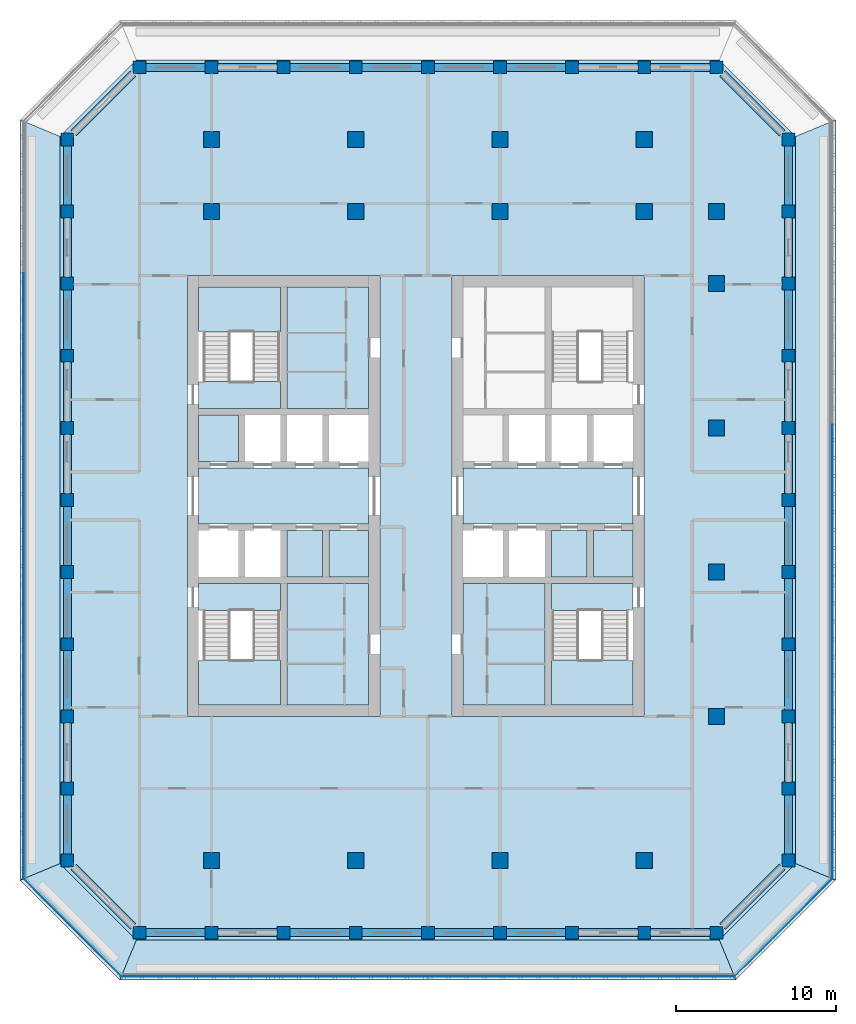
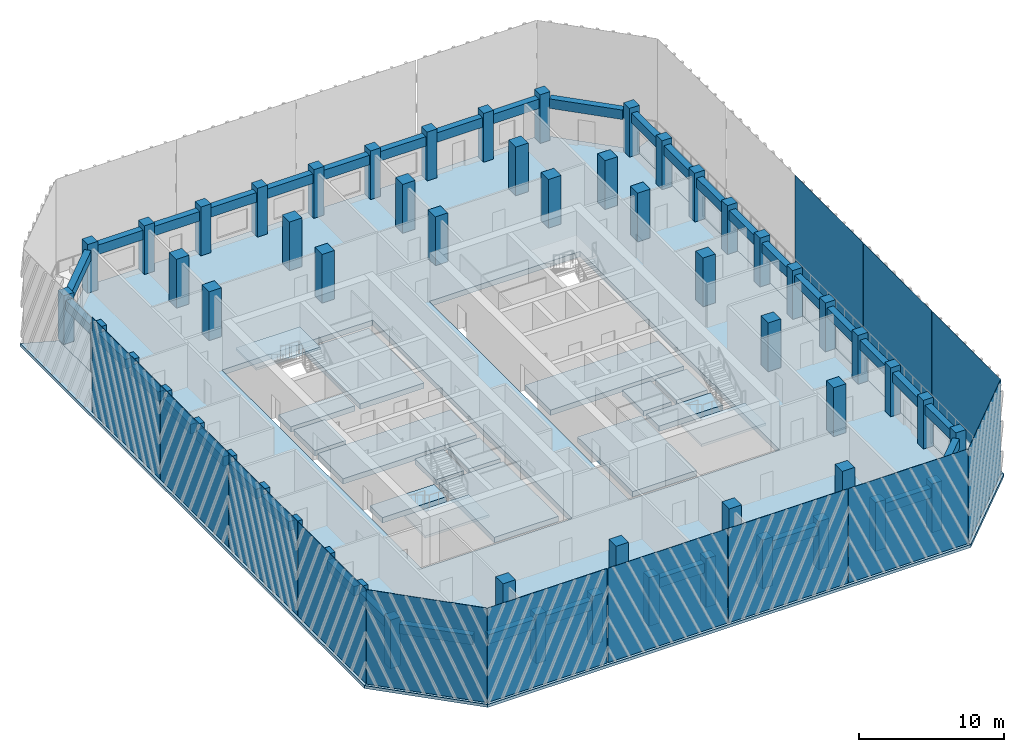
# One storey, part 1 of 17: 57 columns, 40 beams, 22 slabs, 13 plates, 3 elements without a shape of their own.
"""IFC4 building model written with IfcOpenShell, lengths in metres."""

from ifc_helpers import new_model, si_unit, direction, frame, origin, origin_2d, place, context, subcontext, project, spatial, polyline, rectangle, outline, extrude, material, layer, layer_set, material_profile, profile_set, type_object, element, aggregate, save


model = new_model("IFC4")

# Units and contexts
model_context = context("Model", 3, precision=1e-05, world=origin(), true_north=direction((0.0, 1.0)))
body_context = subcontext(model_context, "Body", "Model", "MODEL_VIEW")
ifc_project = project(units=[si_unit("LENGTHUNIT", "METRE"), si_unit("AREAUNIT", "SQUARE_METRE"), si_unit("VOLUMEUNIT", "CUBIC_METRE"), si_unit("PLANEANGLEUNIT", "RADIAN"), si_unit("MASSUNIT", "GRAM", prefix="KILO")], contexts=[model_context])

# Site, building, storey
site_placement = place(None, origin())
site = spatial("IfcSite", under=ifc_project, at=site_placement, CompositionType="ELEMENT")
building_placement = place(site_placement, origin())
building = spatial("IfcBuilding", under=site, at=building_placement, Name="Corbel Stack Research Tower", CompositionType="ELEMENT")
storey_placement = place(building_placement, frame((0.0, 0.0, 248.0)))
storey = spatial("IfcBuildingStorey", under=building, at=storey_placement, Name="L56", CompositionType="ELEMENT", Elevation=248.0)

# Columns
ifc_material_1 = material(Name="Concrete C60/75", Category="concrete")
ifc_material_profile_1 = material_profile(ifc_material_1, rectangle(XDim=1.0, YDim=1.0, at=origin_2d()), Name="RC 1000 x 1000")
ifc_profile_set_1 = profile_set([ifc_material_profile_1], Name="Concrete C60/75")
column_type_1 = type_object("IfcColumnType", Name="C-1000-60", PredefinedType="COLUMN", material=ifc_profile_set_1)
for number, where, z_axis, x_axis, name in (
    (1, (-9.0, -18.0, 0.0), (0.0, 0.0, 1.0), (1.0, 0.0, 0.0), "Column 6/D L56"),
    (2, (-9.0, 22.5, 0.0), (0.0, 0.0, 1.0), (1.0, 0.0, 0.0), "Column 6/N L56"),
    (3, (-9.0, 27.0, 0.0), (0.0, 0.0, 1.0), (1.0, 0.0, 0.0), "Column 6/P L56"),
    (4, (0.0, -18.0, 0.0), (0.0, 0.0, 1.0), (1.0, 0.0, 0.0), "Column 8/D L56"),
    (5, (0.0, 22.5, 0.0), (0.0, 0.0, 1.0), (1.0, 0.0, 0.0), "Column 8/N L56"),
    (6, (0.0, 27.0, 0.0), (0.0, 0.0, 1.0), (1.0, 0.0, 0.0), "Column 8/P L56"),
    (7, (9.0, -18.0, 0.0), (0.0, 0.0, 1.0), (1.0, 0.0, 0.0), "Column 10/D L56"),
    (8, (9.0, 22.5, 0.0), (0.0, 0.0, 1.0), (1.0, 0.0, 0.0), "Column 10/N L56"),
    (9, (9.0, 27.0, 0.0), (0.0, 0.0, 1.0), (1.0, 0.0, 0.0), "Column 10/P L56"),
    (10, (18.0, -18.0, 0.0), (0.0, 0.0, 1.0), (1.0, 0.0, 0.0), "Column 12/D L56"),
    (11, (18.0, 22.5, 0.0), (0.0, 0.0, 1.0), (1.0, 0.0, 0.0), "Column 12/N L56"),
    (12, (18.0, 27.0, 0.0), (0.0, 0.0, 1.0), (1.0, 0.0, 0.0), "Column 12/P L56"),
    (13, (22.5, -9.0, 0.0), (0.0, 0.0, 1.0), (1.0, 0.0, 0.0), "Column 13/F L56"),
    (14, (22.5, 0.0, 0.0), (0.0, 0.0, 1.0), (1.0, 0.0, 0.0), "Column 13/H L56"),
    (15, (22.5, 9.0, 0.0), (0.0, 0.0, 1.0), (1.0, 0.0, 0.0), "Column 13/K L56"),
    (16, (22.5, 18.0, 0.0), (0.0, 0.0, 1.0), (1.0, 0.0, 0.0), "Column 13/M L56"),
    (17, (22.5, 22.5, 0.0), (0.0, 0.0, 1.0), (1.0, 0.0, 0.0), "Column 13/N L56"),
):
    element("IfcColumn", number, at=place(storey_placement, frame(where, z_axis=z_axis, x_axis=x_axis)), inside=storey, type_object=column_type_1, Name=name, PredefinedType="COLUMN", context=body_context, shape_type="SweptSolid", body=[
        extrude(rectangle(XDim=1.0, YDim=1.0, at=origin_2d()), origin(), (0.0, 0.0, 1.0), 4.10009765625),
    ])
ifc_material_2 = material(Name="Concrete C60/75", Category="concrete")
ifc_material_profile_2 = material_profile(ifc_material_2, rectangle(XDim=0.800048828125, YDim=0.800048828125, at=origin_2d()), Name="RC 800 x 800")
ifc_profile_set_2 = profile_set([ifc_material_profile_2], Name="Concrete C60/75")
column_type_2 = type_object("IfcColumnType", Name="C-800-60", PredefinedType="COLUMN", material=ifc_profile_set_2)
for number, where, z_axis, x_axis, name in (
    (18, (-18.0, -18.0, 0.0), (0.0, 0.0, 1.0), (1.0, 0.0, 0.0), "Column 4/D L56"),
    (19, (-18.0, -13.5, 0.0), (0.0, 0.0, 1.0), (1.0, 0.0, 0.0), "Column 4/E L56"),
    (20, (-18.0, -9.0, 0.0), (0.0, 0.0, 1.0), (1.0, 0.0, 0.0), "Column 4/F L56"),
    (21, (-18.0, -4.5, 0.0), (0.0, 0.0, 1.0), (1.0, 0.0, 0.0), "Column 4/G L56"),
    (22, (-18.0, 0.0, 0.0), (0.0, 0.0, 1.0), (1.0, 0.0, 0.0), "Column 4/H L56"),
    (23, (-18.0, 4.5, 0.0), (0.0, 0.0, 1.0), (1.0, 0.0, 0.0), "Column 4/J L56"),
    (24, (-18.0, 9.0, 0.0), (0.0, 0.0, 1.0), (1.0, 0.0, 0.0), "Column 4/K L56"),
    (25, (-18.0, 13.5, 0.0), (0.0, 0.0, 1.0), (1.0, 0.0, 0.0), "Column 4/L L56"),
    (26, (-18.0, 18.0, 0.0), (0.0, 0.0, 1.0), (1.0, 0.0, 0.0), "Column 4/M L56"),
    (27, (-18.0, 22.5, 0.0), (0.0, 0.0, 1.0), (1.0, 0.0, 0.0), "Column 4/N L56"),
    (28, (-18.0, 27.0, 0.0), (0.0, 0.0, 1.0), (1.0, 0.0, 0.0), "Column 4/P L56"),
    (29, (-13.5, -22.5, 0.0), (0.0, 0.0, 1.0), (1.0, 0.0, 0.0), "Column 5/C L56"),
    (30, (-13.5, 31.5, 0.0), (0.0, 0.0, 1.0), (1.0, 0.0, 0.0), "Column 5/Q L56"),
    (31, (-9.0, -22.5, 0.0), (0.0, 0.0, 1.0), (1.0, 0.0, 0.0), "Column 6/C L56"),
    (32, (-9.0, 31.5, 0.0), (0.0, 0.0, 1.0), (1.0, 0.0, 0.0), "Column 6/Q L56"),
    (33, (-4.5, -22.5, 0.0), (0.0, 0.0, 1.0), (1.0, 0.0, 0.0), "Column 7/C L56"),
    (34, (-4.5, 31.5, 0.0), (0.0, 0.0, 1.0), (1.0, 0.0, 0.0), "Column 7/Q L56"),
    (35, (0.0, -22.5, 0.0), (0.0, 0.0, 1.0), (1.0, 0.0, 0.0), "Column 8/C L56"),
    (36, (0.0, 31.5, 0.0), (0.0, 0.0, 1.0), (1.0, 0.0, 0.0), "Column 8/Q L56"),
    (37, (4.5, -22.5, 0.0), (0.0, 0.0, 1.0), (1.0, 0.0, 0.0), "Column 9/C L56"),
    (38, (4.5, 31.5, 0.0), (0.0, 0.0, 1.0), (1.0, 0.0, 0.0), "Column 9/Q L56"),
    (39, (9.0, -22.5, 0.0), (0.0, 0.0, 1.0), (1.0, 0.0, 0.0), "Column 10/C L56"),
    (40, (9.0, 31.5, 0.0), (0.0, 0.0, 1.0), (1.0, 0.0, 0.0), "Column 10/Q L56"),
    (41, (13.5, -22.5, 0.0), (0.0, 0.0, 1.0), (1.0, 0.0, 0.0), "Column 11/C L56"),
    (42, (13.5, 31.5, 0.0), (0.0, 0.0, 1.0), (1.0, 0.0, 0.0), "Column 11/Q L56"),
    (43, (18.0, -22.5, 0.0), (0.0, 0.0, 1.0), (1.0, 0.0, 0.0), "Column 12/C L56"),
    (44, (18.0, 31.5, 0.0), (0.0, 0.0, 1.0), (1.0, 0.0, 0.0), "Column 12/Q L56"),
    (45, (22.5, -22.5, 0.0), (0.0, 0.0, 1.0), (1.0, 0.0, 0.0), "Column 13/C L56"),
    (46, (22.5, 31.5, 0.0), (0.0, 0.0, 1.0), (1.0, 0.0, 0.0), "Column 13/Q L56"),
    (47, (27.0, -18.0, 0.0), (0.0, 0.0, 1.0), (1.0, 0.0, 0.0), "Column 14/D L56"),
    (48, (27.0, -13.5, 0.0), (0.0, 0.0, 1.0), (1.0, 0.0, 0.0), "Column 14/E L56"),
    (49, (27.0, -9.0, 0.0), (0.0, 0.0, 1.0), (1.0, 0.0, 0.0), "Column 14/F L56"),
    (50, (27.0, -4.5, 0.0), (0.0, 0.0, 1.0), (1.0, 0.0, 0.0), "Column 14/G L56"),
    (51, (27.0, 0.0, 0.0), (0.0, 0.0, 1.0), (1.0, 0.0, 0.0), "Column 14/H L56"),
    (52, (27.0, 4.5, 0.0), (0.0, 0.0, 1.0), (1.0, 0.0, 0.0), "Column 14/J L56"),
    (53, (27.0, 9.0, 0.0), (0.0, 0.0, 1.0), (1.0, 0.0, 0.0), "Column 14/K L56"),
    (54, (27.0, 13.5, 0.0), (0.0, 0.0, 1.0), (1.0, 0.0, 0.0), "Column 14/L L56"),
    (55, (27.0, 18.0, 0.0), (0.0, 0.0, 1.0), (1.0, 0.0, 0.0), "Column 14/M L56"),
    (56, (27.0, 22.5, 0.0), (0.0, 0.0, 1.0), (1.0, 0.0, 0.0), "Column 14/N L56"),
    (57, (27.0, 27.0, 0.0), (0.0, 0.0, 1.0), (1.0, 0.0, 0.0), "Column 14/P L56"),
):
    element("IfcColumn", number, at=place(storey_placement, frame(where, z_axis=z_axis, x_axis=x_axis)), inside=storey, type_object=column_type_2, Name=name, PredefinedType="COLUMN", context=body_context, shape_type="SweptSolid", body=[
        extrude(rectangle(XDim=0.800048828125, YDim=0.800048828125, at=origin_2d()), origin(), (0.0, 0.0, 1.0), 4.10009765625),
    ])

# Beams
ifc_material_3 = material(Name="Concrete C60/75", Category="concrete")
ifc_material_profile_3 = material_profile(ifc_material_3, rectangle(XDim=0.5, YDim=0.800048828125, at=origin_2d()), Name="RC 500 x 800")
ifc_profile_set_3 = profile_set([ifc_material_profile_3], Name="Concrete C60/75")
beam_type = type_object("IfcBeamType", Name="SB-500-800-450", PredefinedType="SPANDREL", material=ifc_profile_set_3)
for number, where, z_axis, x_axis, name in (
    (58, (-13.10009765625, -22.5, 3.25), (1.0, 0.0, 0.0), (0.0, 1.0, 0.0), "Spandrel beam L56-01"),
    (59, (-8.60009765625, -22.5, 3.25), (1.0, 0.0, 0.0), (0.0, 1.0, 0.0), "Spandrel beam L56-02"),
    (60, (-4.10009765625, -22.5, 3.25), (1.0, 0.0, 0.0), (0.0, 1.0, 0.0), "Spandrel beam L56-03"),
    (61, (0.39990234375, -22.5, 3.25), (1.0, 0.0, 0.0), (0.0, 1.0, 0.0), "Spandrel beam L56-04"),
    (62, (4.89990234375, -22.5, 3.25), (1.0, 0.0, 0.0), (0.0, 1.0, 0.0), "Spandrel beam L56-05"),
    (63, (9.39990234375, -22.5, 3.25), (1.0, 0.0, 0.0), (0.0, 1.0, 0.0), "Spandrel beam L56-06"),
    (64, (13.89990234375, -22.5, 3.25), (1.0, 0.0, 0.0), (0.0, 1.0, 0.0), "Spandrel beam L56-07"),
    (65, (18.39990234375, -22.5, 3.25), (1.0, 0.0, 0.0), (0.0, 1.0, 0.0), "Spandrel beam L56-08"),
):
    element("IfcBeam", number, at=place(storey_placement, frame(where, z_axis=z_axis, x_axis=x_axis)), inside=storey, type_object=beam_type, Name=name, PredefinedType="SPANDREL", context=body_context, shape_type="SweptSolid", body=[
        extrude(rectangle(XDim=0.5, YDim=0.800048828125, at=origin_2d()), origin(), (0.0, 0.0, 1.0), 3.7001953125),
    ])
beam_1_placement = place(storey_placement, frame((22.89990234375, -22.10009765625, 3.25), z_axis=(0.707106781187, 0.707106781187, 0.0), x_axis=(-0.707106781187, 0.707106781187, 0.0)))
element("IfcBeam", 66, at=beam_1_placement, inside=storey, type_object=beam_type, Name="Spandrel beam L56-09", PredefinedType="SPANDREL", context=body_context, shape_type="SweptSolid", body=[
    extrude(rectangle(XDim=0.5, YDim=0.800048828125, at=origin_2d()), origin(), (0.0, 0.0, 1.0), 5.23291015625),
])
for number, where, z_axis, x_axis, name in (
    (67, (27.0, -17.60009765625, 3.25), (0.0, 1.0, 0.0), (-1.0, 0.0, 0.0), "Spandrel beam L56-10"),
    (68, (27.0, -13.10009765625, 3.25), (0.0, 1.0, 0.0), (-1.0, 0.0, 0.0), "Spandrel beam L56-11"),
    (69, (27.0, -8.60009765625, 3.25), (0.0, 1.0, 0.0), (-1.0, 0.0, 0.0), "Spandrel beam L56-12"),
    (70, (27.0, -4.10009765625, 3.25), (0.0, 1.0, 0.0), (-1.0, 0.0, 0.0), "Spandrel beam L56-13"),
    (71, (27.0, 0.39990234375, 3.25), (0.0, 1.0, 0.0), (-1.0, 0.0, 0.0), "Spandrel beam L56-14"),
    (72, (27.0, 4.89990234375, 3.25), (0.0, 1.0, 0.0), (-1.0, 0.0, 0.0), "Spandrel beam L56-15"),
    (73, (27.0, 9.39990234375, 3.25), (0.0, 1.0, 0.0), (-1.0, 0.0, 0.0), "Spandrel beam L56-16"),
    (74, (27.0, 13.89990234375, 3.25), (0.0, 1.0, 0.0), (-1.0, 0.0, 0.0), "Spandrel beam L56-17"),
    (75, (27.0, 18.39990234375, 3.25), (0.0, 1.0, 0.0), (-1.0, 0.0, 0.0), "Spandrel beam L56-18"),
    (76, (27.0, 22.89990234375, 3.25), (0.0, 1.0, 0.0), (-1.0, 0.0, 0.0), "Spandrel beam L56-19"),
):
    element("IfcBeam", number, at=place(storey_placement, frame(where, z_axis=z_axis, x_axis=x_axis)), inside=storey, type_object=beam_type, Name=name, PredefinedType="SPANDREL", context=body_context, shape_type="SweptSolid", body=[
        extrude(rectangle(XDim=0.5, YDim=0.800048828125, at=origin_2d()), origin(), (0.0, 0.0, 1.0), 3.7001953125),
    ])
beam_2_placement = place(storey_placement, frame((26.60009765625, 27.39990234375, 3.25), z_axis=(-0.707106781187, 0.707106781187, 0.0), x_axis=(-0.707106781187, -0.707106781187, 0.0)))
element("IfcBeam", 77, at=beam_2_placement, inside=storey, type_object=beam_type, Name="Spandrel beam L56-20", PredefinedType="SPANDREL", context=body_context, shape_type="SweptSolid", body=[
    extrude(rectangle(XDim=0.5, YDim=0.800048828125, at=origin_2d()), origin(), (0.0, 0.0, 1.0), 5.23291015625),
])
for number, where, z_axis, x_axis, name in (
    (78, (22.10009765625, 31.5, 3.25), (-1.0, 0.0, 0.0), (0.0, -1.0, 0.0), "Spandrel beam L56-21"),
    (79, (17.60009765625, 31.5, 3.25), (-1.0, 0.0, 0.0), (0.0, -1.0, 0.0), "Spandrel beam L56-22"),
    (80, (13.10009765625, 31.5, 3.25), (-1.0, 0.0, 0.0), (0.0, -1.0, 0.0), "Spandrel beam L56-23"),
    (81, (8.60009765625, 31.5, 3.25), (-1.0, 0.0, 0.0), (0.0, -1.0, 0.0), "Spandrel beam L56-24"),
    (82, (4.10009765625, 31.5, 3.25), (-1.0, 0.0, 0.0), (0.0, -1.0, 0.0), "Spandrel beam L56-25"),
    (83, (-0.39990234375, 31.5, 3.25), (-1.0, 0.0, 0.0), (0.0, -1.0, 0.0), "Spandrel beam L56-26"),
    (84, (-4.89990234375, 31.5, 3.25), (-1.0, 0.0, 0.0), (0.0, -1.0, 0.0), "Spandrel beam L56-27"),
    (85, (-9.39990234375, 31.5, 3.25), (-1.0, 0.0, 0.0), (0.0, -1.0, 0.0), "Spandrel beam L56-28"),
):
    element("IfcBeam", number, at=place(storey_placement, frame(where, z_axis=z_axis, x_axis=x_axis)), inside=storey, type_object=beam_type, Name=name, PredefinedType="SPANDREL", context=body_context, shape_type="SweptSolid", body=[
        extrude(rectangle(XDim=0.5, YDim=0.800048828125, at=origin_2d()), origin(), (0.0, 0.0, 1.0), 3.7001953125),
    ])
beam_3_placement = place(storey_placement, frame((-13.89990234375, 31.10009765625, 3.25), z_axis=(-0.707106781187, -0.707106781187, 0.0), x_axis=(0.707106781187, -0.707106781187, 0.0)))
element("IfcBeam", 86, at=beam_3_placement, inside=storey, type_object=beam_type, Name="Spandrel beam L56-29", PredefinedType="SPANDREL", context=body_context, shape_type="SweptSolid", body=[
    extrude(rectangle(XDim=0.5, YDim=0.800048828125, at=origin_2d()), origin(), (0.0, 0.0, 1.0), 5.23291015625),
])
for number, where, z_axis, x_axis, name in (
    (87, (-18.0, 26.60009765625, 3.25), (0.0, -1.0, 0.0), (1.0, 0.0, 0.0), "Spandrel beam L56-30"),
    (88, (-18.0, 22.10009765625, 3.25), (0.0, -1.0, 0.0), (1.0, 0.0, 0.0), "Spandrel beam L56-31"),
    (89, (-18.0, 17.60009765625, 3.25), (0.0, -1.0, 0.0), (1.0, 0.0, 0.0), "Spandrel beam L56-32"),
    (90, (-18.0, 13.10009765625, 3.25), (0.0, -1.0, 0.0), (1.0, 0.0, 0.0), "Spandrel beam L56-33"),
    (91, (-18.0, 8.60009765625, 3.25), (0.0, -1.0, 0.0), (1.0, 0.0, 0.0), "Spandrel beam L56-34"),
    (92, (-18.0, 4.10009765625, 3.25), (0.0, -1.0, 0.0), (1.0, 0.0, 0.0), "Spandrel beam L56-35"),
    (93, (-18.0, -0.39990234375, 3.25), (0.0, -1.0, 0.0), (1.0, 0.0, 0.0), "Spandrel beam L56-36"),
    (94, (-18.0, -4.89990234375, 3.25), (0.0, -1.0, 0.0), (1.0, 0.0, 0.0), "Spandrel beam L56-37"),
    (95, (-18.0, -9.39990234375, 3.25), (0.0, -1.0, 0.0), (1.0, 0.0, 0.0), "Spandrel beam L56-38"),
    (96, (-18.0, -13.89990234375, 3.25), (0.0, -1.0, 0.0), (1.0, 0.0, 0.0), "Spandrel beam L56-39"),
):
    element("IfcBeam", number, at=place(storey_placement, frame(where, z_axis=z_axis, x_axis=x_axis)), inside=storey, type_object=beam_type, Name=name, PredefinedType="SPANDREL", context=body_context, shape_type="SweptSolid", body=[
        extrude(rectangle(XDim=0.5, YDim=0.800048828125, at=origin_2d()), origin(), (0.0, 0.0, 1.0), 3.7001953125),
    ])
beam_4_placement = place(storey_placement, frame((-17.60009765625, -18.39990234375, 3.25), z_axis=(0.707106781187, -0.707106781187, 0.0), x_axis=(0.707106781187, 0.707106781187, 0.0)))
element("IfcBeam", 97, at=beam_4_placement, inside=storey, type_object=beam_type, Name="Spandrel beam L56-40", PredefinedType="SPANDREL", context=body_context, shape_type="SweptSolid", body=[
    extrude(rectangle(XDim=0.5, YDim=0.800048828125, at=origin_2d()), origin(), (0.0, 0.0, 1.0), 5.23291015625),
])

# Plates
ifc_material_4 = material(Name="Fritted glass", Category="glass")
ifc_layer_1 = layer(ifc_material_4, 0.02490234375)
ifc_layer_set_1 = layer_set([ifc_layer_1], Name="Fritted glass")
plate_type = type_object("IfcPlateType", Name="Fritted glass panel 25", PredefinedType="SHEET", material=ifc_layer_set_1)
for number, where, z_axis, x_axis, name in (
    (98, (-9.854248046875, -25.237548828125, 0.0), (0.0, 0.0, 1.0), (1.0, 0.0, 0.0), "Fritted glass L56 S1"),
    (99, (-0.284912109375, -25.237548828125, 0.0), (0.0, 0.0, 1.0), (1.0, 0.0, 0.0), "Fritted glass L56 S2"),
    (100, (9.284912109375, -25.237548828125, 0.0), (0.0, 0.0, 1.0), (1.0, 0.0, 0.0), "Fritted glass L56 S3"),
    (101, (18.854248046875, -25.237548828125, 0.0), (0.0, 0.0, 1.0), (1.0, 0.0, 0.0), "Fritted glass L56 S4"),
):
    element("IfcPlate", number, at=place(storey_placement, frame(where, z_axis=z_axis, x_axis=x_axis)), inside=storey, type_object=plate_type, Name=name, PredefinedType="SHEET", context=body_context, shape_type="SweptSolid", body=[
        extrude(rectangle(XDim=9.509521484375, YDim=0.02490234375, at=origin_2d()), origin(), (0.0, 0.0, 1.0), 7.949951171875),
    ])
plate_1_placement = place(storey_placement, frame((26.685791015625, -22.185791015625, 0.0), z_axis=(0.0, 0.0, 1.0), x_axis=(0.707106781187, 0.707106781187, 0.0)))
element("IfcPlate", 102, at=plate_1_placement, inside=storey, type_object=plate_type, Name="Fritted glass L56 SE1", PredefinedType="SHEET", context=body_context, shape_type="SweptSolid", body=[
    extrude(rectangle(XDim=8.58203125, YDim=0.02490234375, at=origin_2d()), origin(), (0.0, 0.0, 1.0), 7.949951171875),
])
for number, where, z_axis, x_axis, name in (
    (103, (29.737548828125, -14.411376953125, 0.0), (0.0, 0.0, 1.0), (0.0, 1.0, 0.0), "Fritted glass L56 E1"),
    (104, (29.737548828125, -4.95556640625, 0.0), (0.0, 0.0, 1.0), (0.0, 1.0, 0.0), "Fritted glass L56 E2"),
    (105, (29.737548828125, 4.5, 0.0), (0.0, 0.0, 1.0), (0.0, 1.0, 0.0), "Fritted glass L56 E3"),
    (106, (-20.737548828125, 13.95556640625, 0.0), (0.0, 0.0, 1.0), (0.0, -1.0, 0.0), "Fritted glass L56 W2"),
    (107, (-20.737548828125, 4.5, 0.0), (0.0, 0.0, 1.0), (0.0, -1.0, 0.0), "Fritted glass L56 W3"),
    (108, (-20.737548828125, -4.95556640625, 0.0), (0.0, 0.0, 1.0), (0.0, -1.0, 0.0), "Fritted glass L56 W4"),
    (109, (-20.737548828125, -14.411376953125, 0.0), (0.0, 0.0, 1.0), (0.0, -1.0, 0.0), "Fritted glass L56 W5"),
):
    element("IfcPlate", number, at=place(storey_placement, frame(where, z_axis=z_axis, x_axis=x_axis)), inside=storey, type_object=plate_type, Name=name, PredefinedType="SHEET", context=body_context, shape_type="SweptSolid", body=[
        extrude(rectangle(XDim=9.3955078125, YDim=0.02490234375, at=origin_2d()), origin(), (0.0, 0.0, 1.0), 7.949951171875),
    ])
plate_2_placement = place(storey_placement, frame((-17.685791015625, -22.185791015625, 0.0), z_axis=(0.0, 0.0, 1.0), x_axis=(0.707106781187, -0.707106781187, 0.0)))
element("IfcPlate", 110, at=plate_2_placement, inside=storey, type_object=plate_type, Name="Fritted glass L56 SW1", PredefinedType="SHEET", context=body_context, shape_type="SweptSolid", body=[
    extrude(rectangle(XDim=8.58203125, YDim=0.02490234375, at=origin_2d()), origin(), (0.0, 0.0, 1.0), 7.949951171875),
])

# Slabs
ifc_material_5 = material(Name="Concrete C45/55", Category="concrete")
ifc_layer_2 = layer(ifc_material_5, 0.25)
ifc_layer_set_2 = layer_set([ifc_layer_2], Name="Concrete C45/55")
slab_type_1 = type_object("IfcSlabType", Name="PT balcony slab 250 C45/55", PredefinedType="FLOOR", material=ifc_layer_set_2)
slab_1_placement = place(storey_placement, frame((0.0, 0.0, -0.25)))
element("IfcSlab", 111, at=slab_1_placement, inside=storey, type_object=slab_type_1, Name="Loggia slab L56 S", PredefinedType="FLOOR", context=body_context, shape_type="SweptSolid", body=[
    extrude(outline(polyline([(22.686279296875, -22.949951171875), (-13.686279296875, -22.949951171875), (-14.721923828125, -25.449951171875), (23.721923828125, -25.449951171875), (22.686279296875, -22.949951171875)])), origin(), (0.0, 0.0, 1.0), 0.25),
])
slab_2_placement = place(storey_placement, frame((0.0, 0.0, -0.25)))
element("IfcSlab", 112, at=slab_2_placement, inside=storey, type_object=slab_type_1, Name="Loggia slab L56 SE", PredefinedType="FLOOR", context=body_context, shape_type="SweptSolid", body=[
    extrude(outline(polyline([(27.449951171875, -18.186279296875), (27.39990234375, -18.236328125), (27.39990234375, -18.39990234375), (27.236328125, -18.39990234375), (22.89990234375, -22.736328125), (22.89990234375, -22.89990234375), (22.736328125, -22.89990234375), (22.686279296875, -22.949951171875), (23.721923828125, -25.449951171875), (29.949951171875, -19.221923828125), (27.449951171875, -18.186279296875)])), origin(), (0.0, 0.0, 1.0), 0.25),
])
slab_3_placement = place(storey_placement, frame((0.0, 0.0, -0.25)))
element("IfcSlab", 113, at=slab_3_placement, inside=storey, type_object=slab_type_1, Name="Loggia slab L56 E", PredefinedType="FLOOR", context=body_context, shape_type="SweptSolid", body=[
    extrude(outline(polyline([(27.449951171875, 27.186279296875), (27.449951171875, -18.186279296875), (29.949951171875, -19.221923828125), (29.949951171875, 28.221923828125), (27.449951171875, 27.186279296875)])), origin(), (0.0, 0.0, 1.0), 0.25),
])
slab_4_placement = place(storey_placement, frame((0.0, 0.0, -0.25)))
element("IfcSlab", 114, at=slab_4_placement, inside=storey, type_object=slab_type_1, Name="Loggia slab L56 W", PredefinedType="FLOOR", context=body_context, shape_type="SweptSolid", body=[
    extrude(outline(polyline([(-18.449951171875, -18.186279296875), (-18.449951171875, 27.186279296875), (-20.949951171875, 28.221923828125), (-20.949951171875, -19.221923828125), (-18.449951171875, -18.186279296875)])), origin(), (0.0, 0.0, 1.0), 0.25),
])
slab_5_placement = place(storey_placement, frame((0.0, 0.0, -0.25)))
element("IfcSlab", 115, at=slab_5_placement, inside=storey, type_object=slab_type_1, Name="Loggia slab L56 SW", PredefinedType="FLOOR", context=body_context, shape_type="SweptSolid", body=[
    extrude(outline(polyline([(-13.686279296875, -22.949951171875), (-13.736328125, -22.89990234375), (-13.89990234375, -22.89990234375), (-13.89990234375, -22.736328125), (-18.236328125, -18.39990234375), (-18.39990234375, -18.39990234375), (-18.39990234375, -18.236328125), (-18.449951171875, -18.186279296875), (-20.949951171875, -19.221923828125), (-14.721923828125, -25.449951171875), (-13.686279296875, -22.949951171875)])), origin(), (0.0, 0.0, 1.0), 0.25),
])
ifc_material_6 = material(Name="Concrete C45/55", Category="concrete")
ifc_layer_3 = layer(ifc_material_6, 0.449951171875)
ifc_layer_set_3 = layer_set([ifc_layer_3], Name="Concrete C45/55")
slab_type_2 = type_object("IfcSlabType", Name="PT-450", PredefinedType="FLOOR", material=ifc_layer_set_3)
slab_6_placement = place(storey_placement, frame((0.0, 0.0, -0.449951171875)))
element("IfcSlab", 116, at=slab_6_placement, inside=storey, type_object=slab_type_2, Name="Floor slab L56", PredefinedType="FLOOR", context=body_context, shape_type="SweptSolid", body=[
    extrude(outline(polyline([(-13.686279296875, -22.949951171875), (22.686279296875, -22.949951171875), (27.449951171875, -18.186279296875), (27.449951171875, 27.186279296875), (22.686279296875, 31.949951171875), (-13.686279296875, 31.949951171875), (-18.449951171875, 27.186279296875), (-18.449951171875, -18.186279296875), (-13.686279296875, -22.949951171875)]), holes=[polyline([(22.0, 22.0), (22.0, 23.0), (23.0, 23.0), (23.0, 22.0), (22.0, 22.0)]), polyline([(23.0, 17.5), (22.0, 17.5), (22.0, 18.5), (23.0, 18.5), (23.0, 17.5)]), polyline([(23.0, 8.5), (22.0, 8.5), (22.0, 9.5), (23.0, 9.5), (23.0, 8.5)]), polyline([(22.0, -0.5), (22.0, 0.5), (23.0, 0.5), (23.0, -0.5), (22.0, -0.5)]), polyline([(23.0, -9.5), (22.0, -9.5), (22.0, -8.5), (23.0, -8.5), (23.0, -9.5)]), polyline([(17.5, 26.5), (17.5, 27.5), (18.5, 27.5), (18.5, 26.5), (17.5, 26.5)]), polyline([(18.5, 22.0), (17.5, 22.0), (17.5, 23.0), (18.5, 23.0), (18.5, 22.0)]), polyline([(18.5, -18.5), (17.5, -18.5), (17.5, -17.5), (18.5, -17.5), (18.5, -18.5)]), polyline([(6.0, -9.0), (6.0, 18.5), (18.0, 18.5), (18.0, -9.0), (6.0, -9.0)]), polyline([(9.5, 26.5), (8.5, 26.5), (8.5, 27.5), (9.5, 27.5), (9.5, 26.5)]), polyline([(9.5, 22.0), (8.5, 22.0), (8.5, 23.0), (9.5, 23.0), (9.5, 22.0)]), polyline([(9.5, -18.5), (8.5, -18.5), (8.5, -17.5), (9.5, -17.5), (9.5, -18.5)]), polyline([(1.5, -9.0), (-10.5, -9.0), (-10.5, 18.5), (1.5, 18.5), (1.5, -9.0)]), polyline([(-0.5, 26.5), (-0.5, 27.5), (0.5, 27.5), (0.5, 26.5), (-0.5, 26.5)]), polyline([(0.5, 22.0), (-0.5, 22.0), (-0.5, 23.0), (0.5, 23.0), (0.5, 22.0)]), polyline([(0.5, -18.5), (-0.5, -18.5), (-0.5, -17.5), (0.5, -17.5), (0.5, -18.5)]), polyline([(-9.5, 26.5), (-9.5, 27.5), (-8.5, 27.5), (-8.5, 26.5), (-9.5, 26.5)]), polyline([(-8.5, 22.0), (-9.5, 22.0), (-9.5, 23.0), (-8.5, 23.0), (-8.5, 22.0)]), polyline([(-8.5, -18.5), (-9.5, -18.5), (-9.5, -17.5), (-8.5, -17.5), (-8.5, -18.5)])]), origin(), (0.0, 0.0, 1.0), 0.449951171875),
])
slab_7_placement = place(storey_placement, frame((0.0, 0.0, -0.449951171875)))
element("IfcSlab", 117, at=slab_7_placement, inside=storey, type_object=slab_type_2, Name="West core floor L56", PredefinedType="FLOOR", context=body_context, shape_type="SweptSolid", body=[
    extrude(outline(polyline([(-9.800048828125, 6.5), (-9.800048828125, 3.0), (0.800048828125, 3.0), (0.800048828125, 6.5), (-9.800048828125, 6.5)])), origin(), (0.0, 0.0, 1.0), 0.449951171875),
])
slab_8_placement = place(storey_placement, frame((0.0, 0.0, -0.449951171875)))
element("IfcSlab", 118, at=slab_8_placement, inside=storey, type_object=slab_type_2, Name="West core floor L56", PredefinedType="FLOOR", context=body_context, shape_type="SweptSolid", body=[
    extrude(outline(polyline([(-9.800048828125, 6.89990234375), (-7.324951171875, 6.89990234375), (-7.324951171875, 9.800048828125), (-9.800048828125, 9.800048828125), (-9.800048828125, 6.89990234375)])), origin(), (0.0, 0.0, 1.0), 0.449951171875),
])
slab_9_placement = place(storey_placement, frame((0.0, 0.0, -0.449951171875)))
element("IfcSlab", 119, at=slab_9_placement, inside=storey, type_object=slab_type_2, Name="West core floor L56", PredefinedType="FLOOR", context=body_context, shape_type="SweptSolid", body=[
    extrude(outline(polyline([(-4.300048828125, -0.699951171875), (-4.300048828125, -8.300048828125), (0.800048828125, -8.300048828125), (0.800048828125, -0.699951171875), (-4.300048828125, -0.699951171875)])), origin(), (0.0, 0.0, 1.0), 0.449951171875),
])
slab_10_placement = place(storey_placement, frame((0.0, 0.0, -0.449951171875)))
element("IfcSlab", 120, at=slab_10_placement, inside=storey, type_object=slab_type_2, Name="West core floor L56", PredefinedType="FLOOR", context=body_context, shape_type="SweptSolid", body=[
    extrude(outline(polyline([(-4.300048828125, 2.60009765625), (-4.300048828125, -0.300048828125), (-2.074951171875, -0.300048828125), (-2.074951171875, 2.60009765625), (-4.300048828125, 2.60009765625)])), origin(), (0.0, 0.0, 1.0), 0.449951171875),
])
slab_11_placement = place(storey_placement, frame((0.0, 0.0, -0.449951171875)))
element("IfcSlab", 121, at=slab_11_placement, inside=storey, type_object=slab_type_2, Name="West core floor L56", PredefinedType="FLOOR", context=body_context, shape_type="SweptSolid", body=[
    extrude(outline(polyline([(-4.300048828125, 17.800048828125), (-4.300048828125, 10.199951171875), (0.800048828125, 10.199951171875), (0.800048828125, 17.800048828125), (-4.300048828125, 17.800048828125)])), origin(), (0.0, 0.0, 1.0), 0.449951171875),
])
slab_12_placement = place(storey_placement, frame((0.0, 0.0, -0.449951171875)))
element("IfcSlab", 122, at=slab_12_placement, inside=storey, type_object=slab_type_2, Name="West core floor L56", PredefinedType="FLOOR", context=body_context, shape_type="SweptSolid", body=[
    extrude(outline(polyline([(-1.675048828125, 2.60009765625), (-1.675048828125, -0.300048828125), (0.800048828125, -0.300048828125), (0.800048828125, 2.60009765625), (-1.675048828125, 2.60009765625)])), origin(), (0.0, 0.0, 1.0), 0.449951171875),
])
slab_13_placement = place(storey_placement, frame((0.0, 0.0, -0.449951171875)))
element("IfcSlab", 123, at=slab_13_placement, inside=storey, type_object=slab_type_2, Name="East core floor L56", PredefinedType="FLOOR", context=body_context, shape_type="SweptSolid", body=[
    extrude(outline(polyline([(6.699951171875, -8.300048828125), (11.800048828125, -8.300048828125), (11.800048828125, -0.699951171875), (6.699951171875, -0.699951171875), (6.699951171875, -8.300048828125)])), origin(), (0.0, 0.0, 1.0), 0.449951171875),
])
slab_14_placement = place(storey_placement, frame((0.0, 0.0, -0.449951171875)))
element("IfcSlab", 124, at=slab_14_placement, inside=storey, type_object=slab_type_2, Name="East core floor L56", PredefinedType="FLOOR", context=body_context, shape_type="SweptSolid", body=[
    extrude(outline(polyline([(6.699951171875, 3.0), (17.300048828125, 3.0), (17.300048828125, 6.5), (6.699951171875, 6.5), (6.699951171875, 3.0)])), origin(), (0.0, 0.0, 1.0), 0.449951171875),
])
slab_15_placement = place(storey_placement, frame((0.0, 0.0, -0.449951171875)))
element("IfcSlab", 125, at=slab_15_placement, inside=storey, type_object=slab_type_2, Name="East core floor L56", PredefinedType="FLOOR", context=body_context, shape_type="SweptSolid", body=[
    extrude(outline(polyline([(12.199951171875, 2.60009765625), (12.199951171875, -0.300048828125), (14.425048828125, -0.300048828125), (14.425048828125, 2.60009765625), (12.199951171875, 2.60009765625)])), origin(), (0.0, 0.0, 1.0), 0.449951171875),
])
slab_16_placement = place(storey_placement, frame((0.0, 0.0, -0.449951171875)))
element("IfcSlab", 126, at=slab_16_placement, inside=storey, type_object=slab_type_2, Name="East core floor L56", PredefinedType="FLOOR", context=body_context, shape_type="SweptSolid", body=[
    extrude(outline(polyline([(14.824951171875, 2.60009765625), (14.824951171875, -0.300048828125), (17.300048828125, -0.300048828125), (17.300048828125, 2.60009765625), (14.824951171875, 2.60009765625)])), origin(), (0.0, 0.0, 1.0), 0.449951171875),
])
slab_17_placement = place(storey_placement, frame((0.0, 0.0, -0.449951171875)))
element("IfcSlab", 127, at=slab_17_placement, inside=storey, type_object=slab_type_2, Name="Stair floor landing ST-W1", PredefinedType="FLOOR", context=body_context, shape_type="SweptSolid", body=[
    extrude(outline(polyline([(-9.800048828125, -2.39990234375), (-4.699951171875, -2.39990234375), (-4.699951171875, -0.699951171875), (-9.800048828125, -0.699951171875), (-9.800048828125, -2.39990234375)])), origin(), (0.0, 0.0, 1.0), 0.449951171875),
])
slab_18_placement = place(storey_placement, frame((0.0, 0.0, -0.449951171875)))
element("IfcSlab", 128, at=slab_18_placement, inside=storey, type_object=slab_type_2, Name="Stair floor landing ST-W2", PredefinedType="FLOOR", context=body_context, shape_type="SweptSolid", body=[
    extrude(outline(polyline([(-9.800048828125, 10.199951171875), (-4.699951171875, 10.199951171875), (-4.699951171875, 11.89990234375), (-9.800048828125, 11.89990234375), (-9.800048828125, 10.199951171875)])), origin(), (0.0, 0.0, 1.0), 0.449951171875),
])
slab_19_placement = place(storey_placement, frame((0.0, 0.0, -0.449951171875)))
element("IfcSlab", 129, at=slab_19_placement, inside=storey, type_object=slab_type_2, Name="Stair floor landing ST-E1", PredefinedType="FLOOR", context=body_context, shape_type="SweptSolid", body=[
    extrude(outline(polyline([(12.199951171875, -2.39990234375), (17.300048828125, -2.39990234375), (17.300048828125, -0.699951171875), (12.199951171875, -0.699951171875), (12.199951171875, -2.39990234375)])), origin(), (0.0, 0.0, 1.0), 0.449951171875),
])

# Stair, slab
ifc_material_7 = material(Name="Concrete C40/50", Category="concrete")
stair_type = type_object("IfcStairType", Name="Exit stair 24 risers", PredefinedType="HALF_TURN_STAIR", material=ifc_material_7)
stair_1_placement = place(storey_placement, origin())
stair_1 = element("IfcStair", 130, at=stair_1_placement, inside=storey, type_object=stair_type, Name="L56 Exit stair ST-W1", PredefinedType="HALF_TURN_STAIR")
ifc_material_8 = material(Name="Concrete C40/50", Category="concrete")
ifc_layer_4 = layer(ifc_material_8, 0.199951171875)
ifc_layer_set_4 = layer_set([ifc_layer_4], Name="Concrete C40/50")
slab_type_3 = type_object("IfcSlabType", Name="Stair landing 200 C40/50", PredefinedType="LANDING", material=ifc_layer_set_4)
slab_20_placement = place(storey_placement, frame((0.0, 0.0, 1.85009765625)))
slab_20 = element("IfcSlab", 131, at=slab_20_placement, type_object=slab_type_3, Name="ST-W1 landing 1", PredefinedType="LANDING", context=body_context, shape_type="SweptSolid", body=[
    extrude(outline(polyline([(-9.800048828125, -8.300048828125), (-9.800048828125, -5.47998046875), (-4.699951171875, -5.47998046875), (-4.699951171875, -8.300048828125), (-9.800048828125, -8.300048828125)])), origin(), (0.0, 0.0, 1.0), 0.199951171875),
])
aggregate(stair_1, [slab_20])

stair_2_placement = place(storey_placement, origin())
stair_2 = element("IfcStair", 132, at=stair_2_placement, inside=storey, type_object=stair_type, Name="L56 Exit stair ST-W2", PredefinedType="HALF_TURN_STAIR")
slab_21_placement = place(storey_placement, frame((0.0, 0.0, 1.85009765625)))
slab_21 = element("IfcSlab", 133, at=slab_21_placement, type_object=slab_type_3, Name="ST-W2 landing 1", PredefinedType="LANDING", context=body_context, shape_type="SweptSolid", body=[
    extrude(outline(polyline([(-9.800048828125, 14.97998046875), (-9.800048828125, 17.800048828125), (-4.699951171875, 17.800048828125), (-4.699951171875, 14.97998046875), (-9.800048828125, 14.97998046875)])), origin(), (0.0, 0.0, 1.0), 0.199951171875),
])
aggregate(stair_2, [slab_21])

stair_3_placement = place(storey_placement, origin())
stair_3 = element("IfcStair", 134, at=stair_3_placement, inside=storey, type_object=stair_type, Name="L56 Exit stair ST-E1", PredefinedType="HALF_TURN_STAIR")
slab_22_placement = place(storey_placement, frame((0.0, 0.0, 1.85009765625)))
slab_22 = element("IfcSlab", 135, at=slab_22_placement, type_object=slab_type_3, Name="ST-E1 landing 1", PredefinedType="LANDING", context=body_context, shape_type="SweptSolid", body=[
    extrude(outline(polyline([(12.199951171875, -8.300048828125), (12.199951171875, -5.47998046875), (17.300048828125, -5.47998046875), (17.300048828125, -8.300048828125), (12.199951171875, -8.300048828125)])), origin(), (0.0, 0.0, 1.0), 0.199951171875),
])
aggregate(stair_3, [slab_22])

save(model, "model.ifc")
